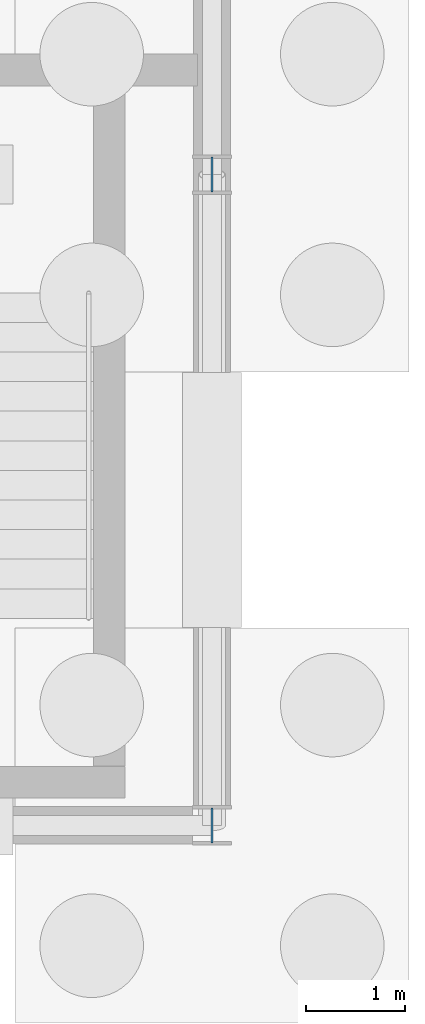
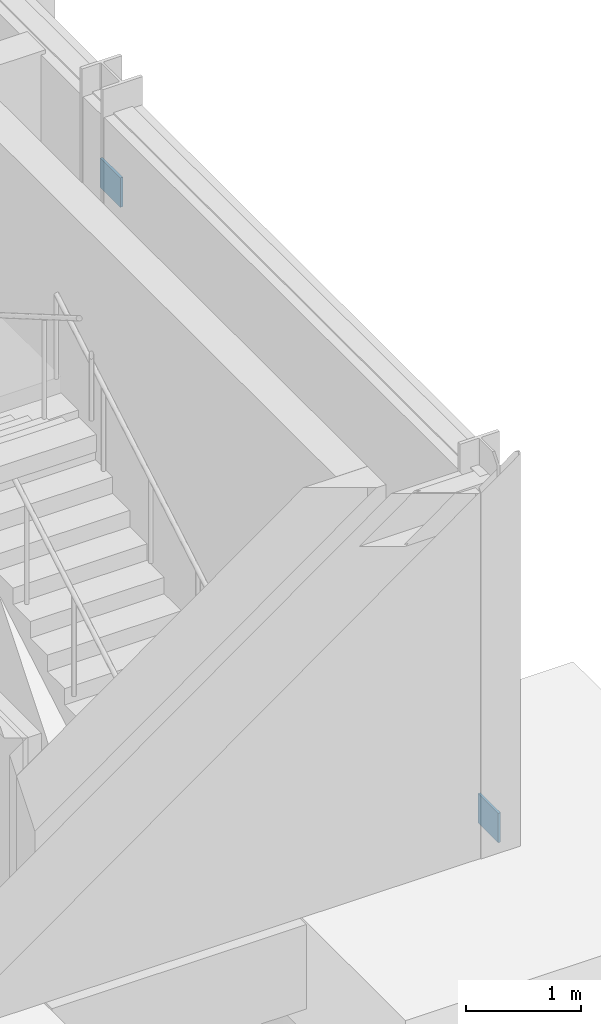
# One storey, part 30 of 58: 2 plates.
"""IFC4 building model written with IfcOpenShell, lengths in metres."""

from ifc_helpers import new_model, si_unit, direction, frame, origin, origin_2d, place, context, subcontext, project, spatial, rectangle, extrude, material, layer, layer_set, type_object, element, save


model = new_model("IFC4")

# Units and contexts
model_context = context("Model", 3, precision=1e-05, world=origin(), true_north=direction((0.0, 1.0)))
body_context = subcontext(model_context, "Body", "Model", "MODEL_VIEW")
ifc_project = project(units=[si_unit("LENGTHUNIT", "METRE"), si_unit("AREAUNIT", "SQUARE_METRE"), si_unit("VOLUMEUNIT", "CUBIC_METRE"), si_unit("PLANEANGLEUNIT", "RADIAN"), si_unit("MASSUNIT", "GRAM", prefix="KILO")], contexts=[model_context])

# Site, building, storey
site_placement = place(None, origin())
site = spatial("IfcSite", under=ifc_project, at=site_placement, CompositionType="ELEMENT")
building_placement = place(site_placement, origin())
building = spatial("IfcBuilding", under=site, at=building_placement, Name="Karori Crest Natural Sciences Institute", CompositionType="ELEMENT")
storey_placement = place(building_placement, frame((0.0, 0.0, -4.199951171875)))
storey = spatial("IfcBuildingStorey", under=building, at=storey_placement, Name="B1", CompositionType="ELEMENT", Elevation=-4.199951171875)

# Plates
ifc_material = material(Name="Structural steel AS/NZS 3679.1 Grade 350", Category="steel")
ifc_layer = layer(ifc_material, 0.02490234375, Name="Structural steel AS/NZS 3679.1 Grade 350")
ifc_layer_set = layer_set([ifc_layer], Name="Structural steel AS/NZS 3679.1 Grade 350")
plate_type = type_object("IfcPlateType", Name="PLT-06", PredefinedType="SHEET", material=ifc_layer_set)
for number, where, z_axis, x_axis, name in (
    (1, (27.199951171875, 0.800048828125, 0.093505859375), (0.0, 0.0, 1.0), (0.0, 1.0, 0.0), "Brace gusset plate EP-0209"),
    (2, (27.199951171875, 7.39990234375, 2.865478515625), (0.0, 0.0, 1.0), (0.0, 1.0, 0.0), "Brace gusset plate EP-0210"),
):
    element("IfcPlate", number, at=place(storey_placement, frame(where, z_axis=z_axis, x_axis=x_axis)), inside=storey, type_object=plate_type, Name=name, PredefinedType="SHEET", context=body_context, shape_type="SweptSolid", body=[
        extrude(rectangle(XDim=0.35302734375, YDim=0.02490234375, at=origin_2d()), origin(), (0.0, 0.0, 1.0), 0.31298828125),
    ])

save(model, "model.ifc")
